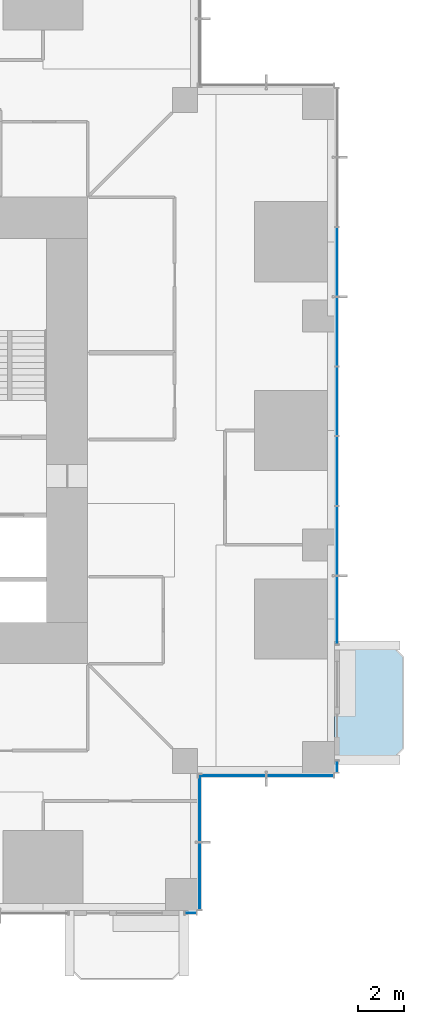
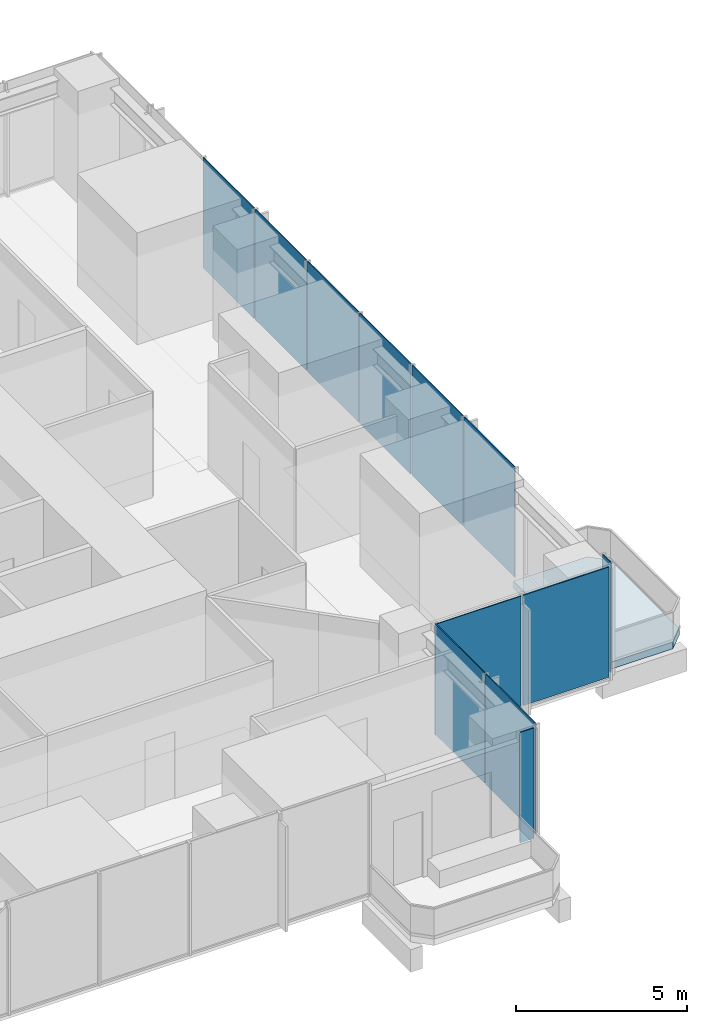
# One storey, part 8 of 15: 12 plates, 1 slab, 5 elements without a shape of their own.
"""IFC4 building model written with IfcOpenShell, lengths in metres."""

from ifc_helpers import new_model, si_unit, direction, frame, origin, origin_2d, place, context, subcontext, project, spatial, polyline, rectangle, outline, extrude, material, layer, layer_set, type_object, element, aggregate, save


model = new_model("IFC4")

# Units and contexts
model_context = context("Model", 3, precision=1e-05, world=origin(), true_north=direction((0.0, 1.0)))
body_context = subcontext(model_context, "Body", "Model", "MODEL_VIEW")
ifc_project = project(units=[si_unit("LENGTHUNIT", "METRE"), si_unit("AREAUNIT", "SQUARE_METRE"), si_unit("VOLUMEUNIT", "CUBIC_METRE"), si_unit("PLANEANGLEUNIT", "RADIAN"), si_unit("MASSUNIT", "GRAM", prefix="KILO")], contexts=[model_context])

# Site, building, storey
site_placement = place(None, origin())
site = spatial("IfcSite", under=ifc_project, at=site_placement, CompositionType="ELEMENT")
building_placement = place(site_placement, origin())
building = spatial("IfcBuilding", under=site, at=building_placement, Name="Svetlomir Tower", CompositionType="ELEMENT")
storey_placement = place(building_placement, frame((0.0, 0.0, 74.5)))
storey = spatial("IfcBuildingStorey", under=building, at=storey_placement, Name="L17", CompositionType="ELEMENT", Elevation=74.5)

# Slab
ifc_material_1 = material(Name="Concrete C60/75", Category="concrete")
ifc_layer_1 = layer(ifc_material_1, 0.25)
ifc_layer_set_1 = layer_set([ifc_layer_1], Name="Concrete C60/75")
slab_type = type_object("IfcSlabType", Name="BALCONY SLAB 250", PredefinedType="FLOOR", material=ifc_layer_set_1)
slab_placement = place(storey_placement, frame((0.0, 0.0, -0.25)))
element("IfcSlab", 1, at=slab_placement, inside=storey, type_object=slab_type, Name="L17 E planted balcony", PredefinedType="FLOOR", context=body_context, shape_type="SweptSolid", body=[
    extrude(outline(polyline([(42.0, 6.60009765625), (44.5, 6.60009765625), (45.0, 7.10009765625), (45.0, 11.10009765625), (44.5, 11.60009765625), (42.0, 11.60009765625), (42.0, 6.60009765625)])), origin(), (0.0, 0.0, 1.0), 0.25),
])

# Curtain wall, plate
ifc_material_2 = material(Name="Bronze anodised aluminium curtain wall", Category="aluminium")
curtain_wall_type = type_object("IfcCurtainWallType", Name="CURTAIN WALL CW1 TOWER OFFICE", PredefinedType="NOTDEFINED", material=ifc_material_2)
curtain_wall_1_placement = place(storey_placement, origin())
curtain_wall_1 = element("IfcCurtainWall", 2, at=curtain_wall_1_placement, inside=storey, type_object=curtain_wall_type, Name="Curtain wall CW1 L17", PredefinedType="NOTDEFINED")
ifc_material_3 = material(Name="Tinted double glazed unit", Category="glass")
ifc_layer_2 = layer(ifc_material_3, 0.031982421875)
ifc_layer_set_2 = layer_set([ifc_layer_2], Name="Tinted double glazed unit")
plate_type = type_object("IfcPlateType", Name="CW1 GLAZED PANEL 32", PredefinedType="CURTAIN_PANEL", material=ifc_layer_set_2)
plate_1_placement = place(storey_placement, frame((35.699951171875, -0.10009765625, 0.06494140625), z_axis=(0.0, 0.0, 1.0), x_axis=(1.0, 0.0, 0.0)))
plate_1 = element("IfcPlate", 3, at=plate_1_placement, type_object=plate_type, Name="CW1 panel 1.1", PredefinedType="CURTAIN_PANEL", context=body_context, shape_type="SweptSolid", body=[
    extrude(rectangle(XDim=0.469970703125, YDim=0.031982421875, at=origin_2d()), origin(), (0.0, 0.0, 1.0), 3.93505859375),
])
aggregate(curtain_wall_1, [plate_1])

# Curtain wall, plates
curtain_wall_2_placement = place(storey_placement, origin())
curtain_wall_2 = element("IfcCurtainWall", 4, at=curtain_wall_2_placement, inside=storey, type_object=curtain_wall_type, Name="Curtain wall CW1 L17", PredefinedType="NOTDEFINED")
plate_2_placement = place(storey_placement, frame((36.10009765625, 1.516357421875, 0.06494140625), z_axis=(0.0, 0.0, 1.0), x_axis=(0.0, 1.0, 0.0)))
plate_2 = element("IfcPlate", 5, at=plate_2_placement, type_object=plate_type, Name="CW1 panel 1.1", PredefinedType="CURTAIN_PANEL", context=body_context, shape_type="SweptSolid", body=[
    extrude(rectangle(XDim=2.902587890625, YDim=0.031982421875, at=origin_2d()), origin(), (0.0, 0.0, 1.0), 3.93505859375),
])
plate_3_placement = place(storey_placement, frame((36.10009765625, 4.483642578125, 0.06494140625), z_axis=(0.0, 0.0, 1.0), x_axis=(0.0, 1.0, 0.0)))
plate_3 = element("IfcPlate", 6, at=plate_3_placement, type_object=plate_type, Name="CW1 panel 2.1", PredefinedType="CURTAIN_PANEL", context=body_context, shape_type="SweptSolid", body=[
    extrude(rectangle(XDim=2.902587890625, YDim=0.031982421875, at=origin_2d()), origin(), (0.0, 0.0, 1.0), 3.93505859375),
])
aggregate(curtain_wall_2, [plate_2, plate_3])

curtain_wall_3_placement = place(storey_placement, origin())
curtain_wall_3 = element("IfcCurtainWall", 7, at=curtain_wall_3_placement, inside=storey, type_object=curtain_wall_type, Name="Curtain wall CW1 L17", PredefinedType="NOTDEFINED")
plate_4_placement = place(storey_placement, frame((37.516357421875, 5.89990234375, 0.06494140625), z_axis=(0.0, 0.0, 1.0), x_axis=(1.0, 0.0, 0.0)))
plate_4 = element("IfcPlate", 8, at=plate_4_placement, type_object=plate_type, Name="CW1 panel 1.1", PredefinedType="CURTAIN_PANEL", context=body_context, shape_type="SweptSolid", body=[
    extrude(rectangle(XDim=2.902587890625, YDim=0.031982421875, at=origin_2d()), origin(), (0.0, 0.0, 1.0), 3.93505859375),
])
plate_5_placement = place(storey_placement, frame((40.483642578125, 5.89990234375, 0.06494140625), z_axis=(0.0, 0.0, 1.0), x_axis=(1.0, 0.0, 0.0)))
plate_5 = element("IfcPlate", 9, at=plate_5_placement, type_object=plate_type, Name="CW1 panel 2.1", PredefinedType="CURTAIN_PANEL", context=body_context, shape_type="SweptSolid", body=[
    extrude(rectangle(XDim=2.902587890625, YDim=0.031982421875, at=origin_2d()), origin(), (0.0, 0.0, 1.0), 3.93505859375),
])
aggregate(curtain_wall_3, [plate_4, plate_5])

# Curtain wall, plate
curtain_wall_4_placement = place(storey_placement, origin())
curtain_wall_4 = element("IfcCurtainWall", 10, at=curtain_wall_4_placement, inside=storey, type_object=curtain_wall_type, Name="Curtain wall CW1 L17", PredefinedType="NOTDEFINED")
plate_6_placement = place(storey_placement, frame((42.10009765625, 6.300048828125, 0.06494140625), z_axis=(0.0, 0.0, 1.0), x_axis=(0.0, 1.0, 0.0)))
plate_6 = element("IfcPlate", 11, at=plate_6_placement, type_object=plate_type, Name="CW1 panel 1.1", PredefinedType="CURTAIN_PANEL", context=body_context, shape_type="SweptSolid", body=[
    extrude(rectangle(XDim=0.469970703125, YDim=0.031982421875, at=origin_2d()), origin(), (0.0, 0.0, 1.0), 3.93505859375),
])
aggregate(curtain_wall_4, [plate_6])

# Curtain wall, plates
curtain_wall_5_placement = place(storey_placement, origin())
curtain_wall_5 = element("IfcCurtainWall", 12, at=curtain_wall_5_placement, inside=storey, type_object=curtain_wall_type, Name="Curtain wall CW1 L17", PredefinedType="NOTDEFINED")
plate_7_placement = place(storey_placement, frame((42.10009765625, 13.141357421875, 0.06494140625), z_axis=(0.0, 0.0, 1.0), x_axis=(0.0, 1.0, 0.0)))
plate_7 = element("IfcPlate", 13, at=plate_7_placement, type_object=plate_type, Name="CW1 panel 1.1", PredefinedType="CURTAIN_PANEL", context=body_context, shape_type="SweptSolid", body=[
    extrude(rectangle(XDim=2.952392578125, YDim=0.031982421875, at=origin_2d()), origin(), (0.0, 0.0, 1.0), 3.93505859375),
])
plate_8_placement = place(storey_placement, frame((42.10009765625, 16.175048828125, 0.06494140625), z_axis=(0.0, 0.0, 1.0), x_axis=(0.0, 1.0, 0.0)))
plate_8 = element("IfcPlate", 14, at=plate_8_placement, type_object=plate_type, Name="CW1 panel 2.1", PredefinedType="CURTAIN_PANEL", context=body_context, shape_type="SweptSolid", body=[
    extrude(rectangle(XDim=2.985107421875, YDim=0.031982421875, at=origin_2d()), origin(), (0.0, 0.0, 1.0), 3.93505859375),
])
plate_9_placement = place(storey_placement, frame((42.10009765625, 19.22509765625, 0.06494140625), z_axis=(0.0, 0.0, 1.0), x_axis=(0.0, 1.0, 0.0)))
plate_9 = element("IfcPlate", 15, at=plate_9_placement, type_object=plate_type, Name="CW1 panel 3.1", PredefinedType="CURTAIN_PANEL", context=body_context, shape_type="SweptSolid", body=[
    extrude(rectangle(XDim=2.985107421875, YDim=0.031982421875, at=origin_2d()), origin(), (0.0, 0.0, 1.0), 3.93505859375),
])
plate_10_placement = place(storey_placement, frame((42.10009765625, 22.27490234375, 0.06494140625), z_axis=(0.0, 0.0, 1.0), x_axis=(0.0, 1.0, 0.0)))
plate_10 = element("IfcPlate", 16, at=plate_10_placement, type_object=plate_type, Name="CW1 panel 4.1", PredefinedType="CURTAIN_PANEL", context=body_context, shape_type="SweptSolid", body=[
    extrude(rectangle(XDim=2.985107421875, YDim=0.031982421875, at=origin_2d()), origin(), (0.0, 0.0, 1.0), 3.93505859375),
])
plate_11_placement = place(storey_placement, frame((42.10009765625, 25.324951171875, 0.06494140625), z_axis=(0.0, 0.0, 1.0), x_axis=(0.0, 1.0, 0.0)))
plate_11 = element("IfcPlate", 17, at=plate_11_placement, type_object=plate_type, Name="CW1 panel 5.1", PredefinedType="CURTAIN_PANEL", context=body_context, shape_type="SweptSolid", body=[
    extrude(rectangle(XDim=2.985107421875, YDim=0.031982421875, at=origin_2d()), origin(), (0.0, 0.0, 1.0), 3.93505859375),
])
plate_12_placement = place(storey_placement, frame((42.10009765625, 28.375, 0.06494140625), z_axis=(0.0, 0.0, 1.0), x_axis=(0.0, 1.0, 0.0)))
plate_12 = element("IfcPlate", 18, at=plate_12_placement, type_object=plate_type, Name="CW1 panel 6.1", PredefinedType="CURTAIN_PANEL", context=body_context, shape_type="SweptSolid", body=[
    extrude(rectangle(XDim=2.985107421875, YDim=0.031982421875, at=origin_2d()), origin(), (0.0, 0.0, 1.0), 3.93505859375),
])
aggregate(curtain_wall_5, [plate_7, plate_8, plate_9, plate_10, plate_11, plate_12])

save(model, "model.ifc")
